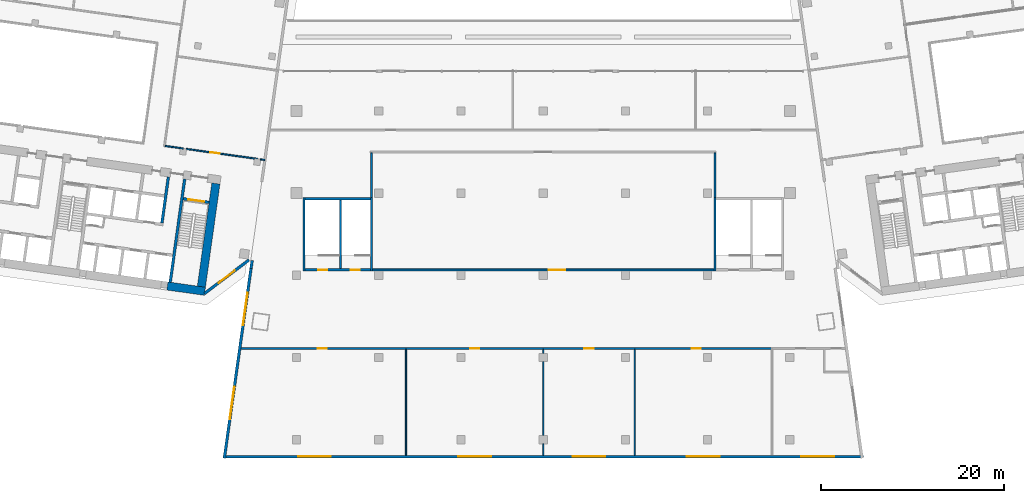
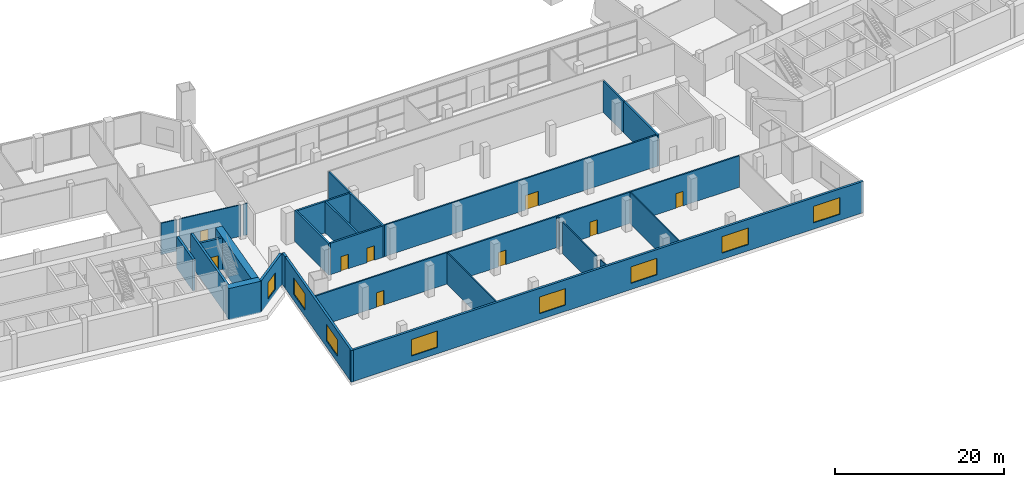
# One storey, part 13 of 21: 27 walls, 9 doors, 8 windows, 17 openings.
"""IFC4 building model written with IfcOpenShell, lengths in metres."""

import ifcopenshell
import ifcopenshell.guid

model = None  # the IFC model being written
_history = None  # IfcOwnerHistory: only IFC2X3 demands one
_inside = {}  # id of a spatial element -> (the spatial element, [elements in it])
_under = {}  # id of a project, library or spatial element -> (it, [spatial elements below it])
_declared = {}  # id of a project -> (the project, [libraries it declares])
_typed = {}  # id of a type object -> (the type object, [elements of that type])
_made_of = {}  # id of a material, layer set ... -> (it, [elements and type objects made of it])


def new_model(schema):
    """Start an empty IFC model of exactly this schema.

    Asked for "IFC4X3", IfcOpenShell would pick the latest addendum, in which some entities
    have other attributes; the version numbers below select the first issue.
    IFC2X3 requires an IfcOwnerHistory on every rooted entity: one is made here for all.
    """
    global model, _history
    if schema == "IFC4X3":
        model = ifcopenshell.file(schema_version=(4, 3, 0, 0))
    else:
        model = ifcopenshell.file(schema=schema)
    _inside.clear()
    _under.clear()
    _declared.clear()
    _typed.clear()
    _made_of.clear()
    _history = None
    if model.schema == "IFC2X3":
        org = make("IfcOrganization", Name="unknown")
        user = make(
            "IfcPersonAndOrganization",
            ThePerson=make("IfcPerson", FamilyName="unknown"),
            TheOrganization=org,
        )
        app = make(
            "IfcApplication",
            ApplicationDeveloper=org,
            Version="unknown",
            ApplicationFullName="unknown",
            ApplicationIdentifier="unknown",
        )
        _history = make(
            "IfcOwnerHistory",
            OwningUser=user,
            OwningApplication=app,
            ChangeAction="ADDED",
            CreationDate=0,
        )
    return model


def make(cls, **values):
    """One entity of the class cls with the attributes given. An attribute that is None is left unset."""
    return model.create_entity(
        cls, **{name: value for name, value in values.items() if value is not None}
    )


def rooted(cls, **values):
    """An entity with a GlobalId (a new one), such as an element, a storey or a relation."""
    return make(cls, GlobalId=ifcopenshell.guid.new(), OwnerHistory=_history, **values)


def si_unit(unit_type, name, prefix=None):
    """IfcSIUnit, for example si_unit("LENGTHUNIT", "METRE", prefix="MILLI")."""
    return make("IfcSIUnit", UnitType=unit_type, Prefix=prefix, Name=name)


def assignment(units):
    """IfcUnitAssignment: the units of a project."""
    return None if units is None else make("IfcUnitAssignment", Units=units)


def point(xyz):
    """IfcCartesianPoint."""
    return None if xyz is None else make("IfcCartesianPoint", Coordinates=xyz)


def direction(xyz):
    """IfcDirection."""
    return None if xyz is None else make("IfcDirection", DirectionRatios=xyz)


def frame(location, z_axis=None, x_axis=None):
    """IfcAxis2Placement3D, a coordinate frame: its origin and axes. An axis left out is left unset."""
    return make(
        "IfcAxis2Placement3D",
        Location=point(location),
        Axis=direction(z_axis),
        RefDirection=direction(x_axis),
    )


def frame_2d(location, x_axis=None):
    """IfcAxis2Placement2D, a coordinate frame in the plane: its origin and x axis."""
    return make(
        "IfcAxis2Placement2D", Location=point(location), RefDirection=direction(x_axis)
    )


def origin():
    """The frame at (0, 0, 0) with its axes left unset."""
    return frame((0.0, 0.0, 0.0))


def place(relative_to, where):
    """IfcLocalPlacement: puts the frame where relative to a parent placement (None: the world)."""
    return make(
        "IfcLocalPlacement", PlacementRelTo=relative_to, RelativePlacement=where
    )


def context(
    kind, dimensions, precision=None, world=None, true_north=None, identifier=None
):
    """IfcGeometricRepresentationContext, for example the 3D "Model" context."""
    return make(
        "IfcGeometricRepresentationContext",
        ContextIdentifier=identifier,
        ContextType=kind,
        CoordinateSpaceDimension=dimensions,
        Precision=precision,
        WorldCoordinateSystem=world,
        TrueNorth=true_north,
    )


def subcontext(parent, identifier, kind, view, scale=None):
    """IfcGeometricRepresentationSubContext, for example "Body" below "Model"."""
    return make(
        "IfcGeometricRepresentationSubContext",
        ContextIdentifier=identifier,
        ContextType=kind,
        ParentContext=parent,
        TargetScale=scale,
        TargetView=view,
    )


def project(units=None, contexts=None):
    """IfcProject with its units and contexts."""
    return rooted(
        "IfcProject",
        Name="project",
        RepresentationContexts=contexts,
        UnitsInContext=assignment(units),
    )


def spatial(cls, under=None, at=None, **own):
    """A site, building, storey or space (cls), placed at a placement, below another one or the project."""
    s = rooted(cls, ObjectPlacement=at, **own)
    if under is not None:
        _under.setdefault(under.id(), (under, []))[1].append(s)
    return s


def profile(cls, at=None, kind="AREA", **sizes):
    """A parametric profile (cls). Its sizes go by their IFC names, for example OverallWidth=200.0."""
    return make(cls, ProfileType=kind, Position=at, **sizes)


def rectangle(**sizes):
    """IfcRectangleProfileDef."""
    return profile("IfcRectangleProfileDef", **sizes)


def extrude(swept, where, along, depth):
    """IfcExtrudedAreaSolid: the profile swept, set in the frame where, extruded along a direction by depth."""
    return make(
        "IfcExtrudedAreaSolid",
        SweptArea=swept,
        Position=where,
        ExtrudedDirection=direction(along),
        Depth=depth,
    )


def shape(context_of_items, identifier, shape_type, items):
    """IfcShapeRepresentation: the items that make up one representation, for example the "Body"."""
    return make(
        "IfcShapeRepresentation",
        ContextOfItems=context_of_items,
        RepresentationIdentifier=identifier,
        RepresentationType=shape_type,
        Items=items,
    )


def material(Name=None, Category=None):
    """IfcMaterial."""
    return make("IfcMaterial", Name=Name, Category=Category)


def layer(
    of_material, thickness, ventilated=None, Name=None, Category=None, Priority=None
):
    """IfcMaterialLayer: one layer of a wall or slab, of a material (None: an air gap)."""
    return make(
        "IfcMaterialLayer",
        Material=of_material,
        LayerThickness=thickness,
        IsVentilated=ventilated,
        Name=Name,
        Category=Category,
        Priority=Priority,
    )


def layer_set(layers, Name=None):
    """IfcMaterialLayerSet."""
    return make("IfcMaterialLayerSet", MaterialLayers=layers, LayerSetName=Name)


def made_of(thing, what):
    """Note that an element or type object is made of a material, layer set ...; save() writes the relation."""
    if what is not None:
        _made_of.setdefault(what.id(), (what, []))[1].append(thing)
    return thing


def type_object(cls, material=None, **own):
    """A type object (cls), such as IfcWallType, which elements share."""
    return made_of(rooted(cls, **own), material)


def element(
    cls,
    number,
    at=None,
    inside=None,
    cuts=None,
    type_object=None,
    material=None,
    context=None,
    identifier="Body",
    shape_type=None,
    held_by="IfcProductDefinitionShape",
    body=None,
    shapes=None,
    **own,
):
    """One element of the class cls, such as IfcWall. Its Tag is "e" and its number.

    at: its placement. inside: the storey or other place that contains it. cuts: it is an
    opening in that element (IfcRelVoidsElement). A single representation is given by context,
    identifier, shape_type and body (its items); several are given by shapes. held_by: the class
    of the entity that holds the representations. save() writes the other relations.
    """
    e = rooted(cls, Tag="e%d" % number, ObjectPlacement=at, **own)
    if body is not None:
        shapes = [shape(context, identifier, shape_type, body)]
    if shapes is not None:
        e.Representation = make(held_by, Representations=shapes)
    if inside is not None:
        _inside.setdefault(inside.id(), (inside, []))[1].append(e)
    if cuts is not None:
        rooted(
            "IfcRelVoidsElement", RelatingBuildingElement=cuts, RelatedOpeningElement=e
        )
    if type_object is not None:
        _typed.setdefault(type_object.id(), (type_object, []))[1].append(e)
    return made_of(e, material)


def fill(opening, filler):
    """IfcRelFillsElement: the door or window that sits in an opening."""
    return rooted(
        "IfcRelFillsElement",
        RelatingOpeningElement=opening,
        RelatedBuildingElement=filler,
    )


def aggregate(whole, parts):
    """IfcRelAggregates: a whole, such as a stair, and the parts it consists of."""
    return rooted("IfcRelAggregates", RelatingObject=whole, RelatedObjects=parts)


def save(model, path):
    """Write the relations noted so far, then the file.

    IfcRelAggregates (storeys below a building ...), IfcRelContainedInSpatialStructure (elements
    in a storey), IfcRelDefinesByType, IfcRelAssociatesMaterial and IfcRelDeclares: one each for
    every whole, place, type object, material and project.
    """
    for whole, parts in _under.values():
        aggregate(whole, parts)
    for where, things in _inside.values():
        rooted(
            "IfcRelContainedInSpatialStructure",
            RelatedElements=things,
            RelatingStructure=where,
        )
    for kind, things in _typed.values():
        rooted("IfcRelDefinesByType", RelatedObjects=things, RelatingType=kind)
    for what, things in _made_of.values():
        rooted("IfcRelAssociatesMaterial", RelatedObjects=things, RelatingMaterial=what)
    for by, libraries in _declared.values():
        rooted("IfcRelDeclares", RelatingContext=by, RelatedDefinitions=libraries)
    model.write(path)


model = new_model("IFC4")

# Units and contexts
model_context = context("Model", 3, precision=1e-05, world=origin(), true_north=direction((0.0, 1.0)))
body_context = subcontext(model_context, "Body", "Model", "MODEL_VIEW")
ifc_project = project(units=[si_unit("LENGTHUNIT", "METRE"), si_unit("AREAUNIT", "SQUARE_METRE"), si_unit("VOLUMEUNIT", "CUBIC_METRE"), si_unit("PLANEANGLEUNIT", "RADIAN"), si_unit("MASSUNIT", "GRAM", prefix="KILO")], contexts=[model_context])

# Site, building, storey
site_placement = place(None, origin())
site = spatial("IfcSite", under=ifc_project, at=site_placement, CompositionType="ELEMENT")
building_placement = place(site_placement, origin())
building = spatial("IfcBuilding", under=site, at=building_placement, Name="Mirante Cascada Hotel Towers", CompositionType="ELEMENT")
storey_placement = place(building_placement, frame((0.0, 0.0, 34.5)))
storey = spatial("IfcBuildingStorey", under=building, at=storey_placement, Name="L05", CompositionType="ELEMENT", Elevation=34.5)

# Wall
ifc_material_1 = material(Name="Masonry block", Category="masonry")
ifc_layer_1 = layer(ifc_material_1, 0.15)
ifc_layer_set_1 = layer_set([ifc_layer_1], Name="Corridor wall 150 block")
wall_type_1 = type_object("IfcWallType", Name="Corridor wall 150 block", PredefinedType="PARTITIONING", material=ifc_layer_set_1)
wall_1_placement = place(storey_placement, frame((-41.4008, -3.8311, 0.0), z_axis=(0.0, 0.0, 1.0), x_axis=(0.9902711, -0.1391512, 0.0)))
element("IfcWall", 1, at=wall_1_placement, inside=storey, type_object=wall_type_1, Name="Corridor wall T1 L05", PredefinedType="PARTITIONING", context=body_context, shape_type="SweptSolid", body=[
    extrude(rectangle(XDim=2.0108, YDim=0.15, at=frame_2d((1.0054, 0.0))), origin(), (0.0, 0.0, 1.0), 4.55),
])

# Wall, opening, door
wall_2_placement = place(storey_placement, frame((-39.0843, -4.1567, 0.0), z_axis=(0.0, 0.0, 1.0), x_axis=(0.9902676, -0.1391764, 0.0)))
wall_2 = element("IfcWall", 2, at=wall_2_placement, inside=storey, type_object=wall_type_1, Name="Corridor wall T1 L05", PredefinedType="PARTITIONING", context=body_context, shape_type="SweptSolid", body=[
    extrude(rectangle(XDim=7.8713, YDim=0.15, at=frame_2d((3.9356, 0.0))), origin(), (0.0, 0.0, 1.0), 4.55),
])
opening_1_placement = place(wall_2_placement, frame((2.6782, 0.0, 0.0)))
opening_1 = element("IfcOpeningElement", 3, at=opening_1_placement, cuts=wall_2, Name="Opening DP1-L05-01", PredefinedType="OPENING", context=body_context, shape_type="SweptSolid", body=[
    extrude(rectangle(XDim=1.0, YDim=2.1, at=frame_2d((0.5, 1.05))), frame((0.0, 0.075, 0.0), z_axis=(0.0, -1.0, 0.0), x_axis=(1.0, 0.0, 0.0)), (0.0, 0.0, 1.0), 0.15),
])
ifc_material_2 = material(Name="Timber door leaf", Category="wood")
door_type_1 = type_object("IfcDoorType", Name="Single door 1000x2100", OperationType="NOTDEFINED", PredefinedType="DOOR", material=ifc_material_2)
door_1_placement = place(opening_1_placement, frame((1.0, 0.0, 0.0), z_axis=(0.0, 0.0, 1.0), x_axis=(-1.0, 0.0, 0.0)))
door_1 = element("IfcDoor", 4, at=door_1_placement, inside=storey, type_object=door_type_1, Name="Door DP1-L05-01", OperationType="SINGLE_SWING_LEFT", OverallHeight=2.1, OverallWidth=1.0, PredefinedType="DOOR", context=body_context, shape_type="SweptSolid", body=[
    extrude(rectangle(XDim=1.0, YDim=2.1, at=frame_2d((0.5, 1.05))), frame((0.0, 0.025, 0.0), z_axis=(0.0, -1.0, 0.0), x_axis=(1.0, 0.0, 0.0)), (0.0, 0.0, 1.0), 0.05),
])
fill(opening_1, door_1)

# Wall
wall_3_placement = place(storey_placement, frame((-30.9641, -5.2979, 0.0), z_axis=(0.0, 0.0, 1.0), x_axis=(0.9902657, -0.1391899, 0.0)))
element("IfcWall", 5, at=wall_3_placement, inside=storey, type_object=wall_type_1, Name="Corridor wall T1 L05", PredefinedType="PARTITIONING", context=body_context, shape_type="SweptSolid", body=[
    extrude(rectangle(XDim=0.4957, YDim=0.15, at=frame_2d((0.2478, 0.0))), origin(), (0.0, 0.0, 1.0), 4.55),
])

# Wall, openings, doors
ifc_material_3 = material(Name="Masonry block", Category="masonry")
ifc_layer_2 = layer(ifc_material_3, 0.2)
ifc_layer_set_2 = layer_set([ifc_layer_2], Name="Hall wall 200 block")
wall_type_2 = type_object("IfcWallType", Name="Hall wall 200 block", PredefinedType="PARTITIONING", material=ifc_layer_set_2)
wall_4_placement = place(storey_placement, frame((-33.0701, -26.0, 0.0), z_axis=(0.0, 0.0, 1.0), x_axis=(1.0, 0.0, 0.0)))
wall_4 = element("IfcWall", 6, at=wall_4_placement, inside=storey, type_object=wall_type_2, Name="Hall wall P L05", PredefinedType="PARTITIONING", context=body_context, shape_type="SweptSolid", body=[
    extrude(rectangle(XDim=58.0476, YDim=0.2, at=frame_2d((29.0238, 0.0))), origin(), (0.0, 0.0, 1.0), 4.55),
])
opening_2_placement = place(wall_4_placement, frame((8.3708, 0.0, 0.0)))
opening_2 = element("IfcOpeningElement", 7, at=opening_2_placement, cuts=wall_4, Name="Opening DP-L05-07", PredefinedType="OPENING", context=body_context, shape_type="SweptSolid", body=[
    extrude(rectangle(XDim=1.0, YDim=2.1, at=frame_2d((0.5, 1.05))), frame((0.0, 0.1, 0.0), z_axis=(0.0, -1.0, 0.0), x_axis=(1.0, 0.0, 0.0)), (0.0, 0.0, 1.0), 0.2),
])
opening_3_placement = place(wall_4_placement, frame((25.0573, 0.0, 0.0)))
opening_3 = element("IfcOpeningElement", 8, at=opening_3_placement, cuts=wall_4, Name="Opening DP-L05-08", PredefinedType="OPENING", context=body_context, shape_type="SweptSolid", body=[
    extrude(rectangle(XDim=1.0, YDim=2.1, at=frame_2d((0.5, 1.05))), frame((0.0, 0.1, 0.0), z_axis=(0.0, -1.0, 0.0), x_axis=(1.0, 0.0, 0.0)), (0.0, 0.0, 1.0), 0.2),
])
opening_4_placement = place(wall_4_placement, frame((37.5786, 0.0, 0.0)))
opening_4 = element("IfcOpeningElement", 9, at=opening_4_placement, cuts=wall_4, Name="Opening DP-L05-09", PredefinedType="OPENING", context=body_context, shape_type="SweptSolid", body=[
    extrude(rectangle(XDim=1.0, YDim=2.1, at=frame_2d((0.5, 1.05))), frame((0.0, 0.1, 0.0), z_axis=(0.0, -1.0, 0.0), x_axis=(1.0, 0.0, 0.0)), (0.0, 0.0, 1.0), 0.2),
])
opening_5_placement = place(wall_4_placement, frame((49.3173, 0.0, 0.0)))
opening_5 = element("IfcOpeningElement", 10, at=opening_5_placement, cuts=wall_4, Name="Opening DP-L05-10", PredefinedType="OPENING", context=body_context, shape_type="SweptSolid", body=[
    extrude(rectangle(XDim=1.0, YDim=2.1, at=frame_2d((0.5, 1.05))), frame((0.0, 0.1, 0.0), z_axis=(0.0, -1.0, 0.0), x_axis=(1.0, 0.0, 0.0)), (0.0, 0.0, 1.0), 0.2),
])
door_2_placement = place(opening_2_placement, origin())
door_2 = element("IfcDoor", 11, at=door_2_placement, inside=storey, type_object=door_type_1, Name="Door DP-L05-07", OperationType="SINGLE_SWING_LEFT", OverallHeight=2.1, OverallWidth=1.0, PredefinedType="DOOR", context=body_context, shape_type="SweptSolid", body=[
    extrude(rectangle(XDim=1.0, YDim=2.1, at=frame_2d((0.5, 1.05))), frame((0.0, 0.025, 0.0), z_axis=(0.0, -1.0, 0.0), x_axis=(1.0, 0.0, 0.0)), (0.0, 0.0, 1.0), 0.05),
])
fill(opening_2, door_2)
door_3_placement = place(opening_3_placement, frame((1.0, 0.0, 0.0), z_axis=(0.0, 0.0, 1.0), x_axis=(-1.0, 0.0, 0.0)))
door_3 = element("IfcDoor", 12, at=door_3_placement, inside=storey, type_object=door_type_1, Name="Door DP-L05-08", OperationType="SINGLE_SWING_RIGHT", OverallHeight=2.1, OverallWidth=1.0, PredefinedType="DOOR", context=body_context, shape_type="SweptSolid", body=[
    extrude(rectangle(XDim=1.0, YDim=2.1, at=frame_2d((0.5, 1.05))), frame((0.0, 0.025, 0.0), z_axis=(0.0, -1.0, 0.0), x_axis=(1.0, 0.0, 0.0)), (0.0, 0.0, 1.0), 0.05),
])
fill(opening_3, door_3)
door_4_placement = place(opening_4_placement, frame((1.0, 0.0, 0.0), z_axis=(0.0, 0.0, 1.0), x_axis=(-1.0, 0.0, 0.0)))
door_4 = element("IfcDoor", 13, at=door_4_placement, inside=storey, type_object=door_type_1, Name="Door DP-L05-09", OperationType="SINGLE_SWING_LEFT", OverallHeight=2.1, OverallWidth=1.0, PredefinedType="DOOR", context=body_context, shape_type="SweptSolid", body=[
    extrude(rectangle(XDim=1.0, YDim=2.1, at=frame_2d((0.5, 1.05))), frame((0.0, 0.025, 0.0), z_axis=(0.0, -1.0, 0.0), x_axis=(1.0, 0.0, 0.0)), (0.0, 0.0, 1.0), 0.05),
])
fill(opening_4, door_4)
door_5_placement = place(opening_5_placement, frame((1.0, 0.0, 0.0), z_axis=(0.0, 0.0, 1.0), x_axis=(-1.0, 0.0, 0.0)))
door_5 = element("IfcDoor", 14, at=door_5_placement, inside=storey, type_object=door_type_1, Name="Door DP-L05-10", OperationType="SINGLE_SWING_RIGHT", OverallHeight=2.1, OverallWidth=1.0, PredefinedType="DOOR", context=body_context, shape_type="SweptSolid", body=[
    extrude(rectangle(XDim=1.0, YDim=2.1, at=frame_2d((0.5, 1.05))), frame((0.0, 0.025, 0.0), z_axis=(0.0, -1.0, 0.0), x_axis=(1.0, 0.0, 0.0)), (0.0, 0.0, 1.0), 0.05),
])
fill(opening_5, door_5)

# Wall, opening, door
wall_5_placement = place(storey_placement, frame((-18.685, -17.4, 0.0), z_axis=(0.0, 0.0, 1.0), x_axis=(1.0, 0.0, 0.0)))
wall_5 = element("IfcWall", 15, at=wall_5_placement, inside=storey, type_object=wall_type_2, Name="Hall wall P L05", PredefinedType="PARTITIONING", context=body_context, shape_type="SweptSolid", body=[
    extrude(rectangle(XDim=37.37, YDim=0.2, at=frame_2d((18.685, 0.0))), origin(), (0.0, 0.0, 1.0), 4.55),
])
opening_6_placement = place(wall_5_placement, frame((19.285, 0.0, 0.0)))
opening_6 = element("IfcOpeningElement", 16, at=opening_6_placement, cuts=wall_5, Name="Opening DP-L05-05", PredefinedType="OPENING", context=body_context, shape_type="SweptSolid", body=[
    extrude(rectangle(XDim=1.8, YDim=2.1, at=frame_2d((0.9, 1.05))), frame((0.0, 0.1, 0.0), z_axis=(0.0, -1.0, 0.0), x_axis=(1.0, 0.0, 0.0)), (0.0, 0.0, 1.0), 0.2),
])
ifc_material_4 = material(Name="Timber door leaf", Category="wood")
door_type_2 = type_object("IfcDoorType", Name="Double door 1800x2100", OperationType="DOUBLE_DOOR_SINGLE_SWING", PredefinedType="DOOR", material=ifc_material_4)
door_6_placement = place(opening_6_placement, origin())
door_6 = element("IfcDoor", 17, at=door_6_placement, inside=storey, type_object=door_type_2, Name="Door DP-L05-05", OperationType="DOUBLE_DOOR_SINGLE_SWING", OverallHeight=2.1, OverallWidth=1.8, PredefinedType="DOOR", context=body_context, shape_type="SweptSolid", body=[
    extrude(rectangle(XDim=0.895, YDim=2.1, at=frame_2d((0.4475, 1.05))), frame((0.0, 0.025, 0.0), z_axis=(0.0, -1.0, 0.0), x_axis=(1.0, 0.0, 0.0)), (0.0, 0.0, 1.0), 0.05),
    extrude(rectangle(XDim=0.895, YDim=2.1, at=frame_2d((1.3525, 1.05))), frame((0.0, 0.025, 0.0), z_axis=(0.0, -1.0, 0.0), x_axis=(1.0, 0.0, 0.0)), (0.0, 0.0, 1.0), 0.05),
])
fill(opening_6, door_6)

# Walls
for number, where, z_axis, x_axis, name in (
    (18, (18.8, -9.475, 0.0), (0.0, 0.0, 1.0), (0.0, 1.0, 0.0), "Hall wall P L05"),
    (19, (-18.8, -9.475, 0.0), (0.0, 0.0, 1.0), (0.0, 1.0, 0.0), "Hall wall P L05"),
):
    element("IfcWall", number, at=place(storey_placement, frame(where, z_axis=z_axis, x_axis=x_axis)), inside=storey, type_object=wall_type_2, Name=name, PredefinedType="PARTITIONING", context=body_context, shape_type="SweptSolid", body=[
        extrude(rectangle(XDim=4.875, YDim=0.2, at=frame_2d((2.4375, 0.0))), origin(), (0.0, 0.0, 1.0), 4.55),
    ])
ifc_material_5 = material(Name="Masonry block", Category="masonry")
ifc_layer_3 = layer(ifc_material_5, 0.15)
ifc_layer_set_3 = layer_set([ifc_layer_3], Name="Partition 150 block")
wall_type_3 = type_object("IfcWallType", Name="Partition 150 block", PredefinedType="PARTITIONING", material=ifc_layer_set_3)
wall_6_placement = place(storey_placement, frame((10.017, -37.7, 0.0), z_axis=(0.0, 0.0, 1.0), x_axis=(0.0, 1.0, 0.0)))
element("IfcWall", 20, at=wall_6_placement, inside=storey, type_object=wall_type_3, Name="Partition P L05", PredefinedType="PARTITIONING", context=body_context, shape_type="SweptSolid", body=[
    extrude(rectangle(XDim=11.6, YDim=0.15, at=frame_2d((5.8, 0.0))), origin(), (0.0, 0.0, 1.0), 4.55),
])
wall_7_placement = place(storey_placement, frame((0.0, -37.7, 0.0), z_axis=(0.0, 0.0, 1.0), x_axis=(0.0, 1.0, 0.0)))
element("IfcWall", 21, at=wall_7_placement, inside=storey, type_object=wall_type_3, Name="Partition P L05", PredefinedType="PARTITIONING", context=body_context, shape_type="SweptSolid", body=[
    extrude(rectangle(XDim=1.25, YDim=0.15, at=frame_2d((0.625, 0.0))), origin(), (0.0, 0.0, 1.0), 4.55),
])
wall_8_placement = place(storey_placement, frame((-15.0255, -37.7, 0.0), z_axis=(0.0, 0.0, 1.0), x_axis=(0.0, 1.0, 0.0)))
element("IfcWall", 22, at=wall_8_placement, inside=storey, type_object=wall_type_3, Name="Partition P L05", PredefinedType="PARTITIONING", context=body_context, shape_type="SweptSolid", body=[
    extrude(rectangle(XDim=11.6, YDim=0.15, at=frame_2d((5.8, 0.0))), origin(), (0.0, 0.0, 1.0), 4.55),
])
wall_9_placement = place(storey_placement, frame((0.0, -35.55, 0.0), z_axis=(0.0, 0.0, 1.0), x_axis=(0.0, 1.0, 0.0)))
element("IfcWall", 23, at=wall_9_placement, inside=storey, type_object=wall_type_3, Name="Partition P L05", PredefinedType="PARTITIONING", context=body_context, shape_type="SweptSolid", body=[
    extrude(rectangle(XDim=8.1, YDim=0.15, at=frame_2d((4.05, 0.0))), origin(), (0.0, 0.0, 1.0), 4.55),
])
wall_10_placement = place(storey_placement, frame((0.0, -26.55, 0.0), z_axis=(0.0, 0.0, 1.0), x_axis=(0.0, 1.0, 0.0)))
element("IfcWall", 24, at=wall_10_placement, inside=storey, type_object=wall_type_3, Name="Partition P L05", PredefinedType="PARTITIONING", context=body_context, shape_type="SweptSolid", body=[
    extrude(rectangle(XDim=0.45, YDim=0.15, at=frame_2d((0.225, 0.0))), origin(), (0.0, 0.0, 1.0), 4.55),
])

# Wall, opening, window
ifc_material_6 = material(Name="Precast concrete C40/50", Category="concrete")
ifc_layer_4 = layer(ifc_material_6, 0.3)
ifc_layer_set_4 = layer_set([ifc_layer_4], Name="Precast concrete C40/50 cladding wall 300")
wall_type_4 = type_object("IfcWallType", Name="Precast concrete C40/50 cladding wall 300", PredefinedType="STANDARD", material=ifc_layer_set_4)
wall_11_placement = place(storey_placement, frame((-32.2074, -16.3138, 0.0), z_axis=(0.0, 0.0, 1.0), x_axis=(-0.7986362, -0.6018141, 0.0)))
wall_11 = element("IfcWall", 25, at=wall_11_placement, inside=storey, type_object=wall_type_4, Name="Corner cladding wall T1 L05 inner rear", PredefinedType="STANDARD", context=body_context, shape_type="SweptSolid", body=[
    extrude(rectangle(XDim=6.1157, YDim=0.3, at=frame_2d((3.0578, 0.0))), origin(), (0.0, 0.0, 1.0), 4.55),
])
opening_7_placement = place(wall_11_placement, frame((1.9578, 0.0, 0.6)))
opening_7 = element("IfcOpeningElement", 26, at=opening_7_placement, cuts=wall_11, Name="Opening W1-05-05", PredefinedType="OPENING", context=body_context, shape_type="SweptSolid", body=[
    extrude(rectangle(XDim=2.2, YDim=2.4, at=frame_2d((1.1, 1.2))), frame((0.0, 0.15, 0.0), z_axis=(0.0, -1.0, 0.0), x_axis=(1.0, 0.0, 0.0)), (0.0, 0.0, 1.0), 0.3),
])
ifc_material_7 = material(Name="Aluminium frame with clear double glazing", Category="aluminium")
window_type_1 = type_object("IfcWindowType", Name="Corner suite window 2200x2400", PartitioningType="DOUBLE_PANEL_VERTICAL", PredefinedType="WINDOW", material=ifc_material_7)
window_1_placement = place(opening_7_placement, origin())
window_1 = element("IfcWindow", 27, at=window_1_placement, inside=storey, type_object=window_type_1, Name="Window W1-05-05", OverallHeight=2.4, OverallWidth=2.2, PartitioningType="SINGLE_PANEL", PredefinedType="WINDOW", context=body_context, shape_type="SweptSolid", body=[
    extrude(rectangle(XDim=2.2, YDim=2.4, at=frame_2d((1.1, 1.2))), frame((0.0, 0.03, 0.0), z_axis=(0.0, -1.0, 0.0), x_axis=(1.0, 0.0, 0.0)), (0.0, 0.0, 1.0), 0.06),
])
fill(opening_7, window_1)

# Wall, openings, windows
wall_12_placement = place(storey_placement, frame((-35.0595, -37.85, 0.0), z_axis=(0.0, 0.0, 1.0), x_axis=(1.0, 0.0, 0.0)))
wall_12 = element("IfcWall", 28, at=wall_12_placement, inside=storey, type_object=wall_type_4, Name="Podium cladding wall L05 P:L05:1", PredefinedType="STANDARD", context=body_context, shape_type="SweptSolid", body=[
    extrude(rectangle(XDim=70.119, YDim=0.3, at=frame_2d((35.0595, 0.0))), origin(), (0.0, 0.0, 1.0), 4.55),
])
opening_8_placement = place(wall_12_placement, frame((8.217, 0.0, 0.9)))
opening_8 = element("IfcOpeningElement", 29, at=opening_8_placement, cuts=wall_12, Name="Opening WP-05-01", PredefinedType="OPENING", context=body_context, shape_type="SweptSolid", body=[
    extrude(rectangle(XDim=3.6, YDim=2.4, at=frame_2d((1.8, 1.2))), frame((0.0, 0.15, 0.0), z_axis=(0.0, -1.0, 0.0), x_axis=(1.0, 0.0, 0.0)), (0.0, 0.0, 1.0), 0.3),
])
opening_9_placement = place(wall_12_placement, frame((25.7467, 0.0, 0.9)))
opening_9 = element("IfcOpeningElement", 30, at=opening_9_placement, cuts=wall_12, Name="Opening WP-05-02", PredefinedType="OPENING", context=body_context, shape_type="SweptSolid", body=[
    extrude(rectangle(XDim=3.6, YDim=2.4, at=frame_2d((1.8, 1.2))), frame((0.0, 0.15, 0.0), z_axis=(0.0, -1.0, 0.0), x_axis=(1.0, 0.0, 0.0)), (0.0, 0.0, 1.0), 0.3),
])
opening_10_placement = place(wall_12_placement, frame((38.268, 0.0, 0.9)))
opening_10 = element("IfcOpeningElement", 31, at=opening_10_placement, cuts=wall_12, Name="Opening WP-05-03", PredefinedType="OPENING", context=body_context, shape_type="SweptSolid", body=[
    extrude(rectangle(XDim=3.6, YDim=2.4, at=frame_2d((1.8, 1.2))), frame((0.0, 0.15, 0.0), z_axis=(0.0, -1.0, 0.0), x_axis=(1.0, 0.0, 0.0)), (0.0, 0.0, 1.0), 0.3),
])
opening_11_placement = place(wall_12_placement, frame((50.7892, 0.0, 0.9)))
opening_11 = element("IfcOpeningElement", 32, at=opening_11_placement, cuts=wall_12, Name="Opening WP-05-04", PredefinedType="OPENING", context=body_context, shape_type="SweptSolid", body=[
    extrude(rectangle(XDim=3.6, YDim=2.4, at=frame_2d((1.8, 1.2))), frame((0.0, 0.15, 0.0), z_axis=(0.0, -1.0, 0.0), x_axis=(1.0, 0.0, 0.0)), (0.0, 0.0, 1.0), 0.3),
])
opening_12_placement = place(wall_12_placement, frame((63.3104, 0.0, 0.9)))
opening_12 = element("IfcOpeningElement", 33, at=opening_12_placement, cuts=wall_12, Name="Opening WP-05-05", PredefinedType="OPENING", context=body_context, shape_type="SweptSolid", body=[
    extrude(rectangle(XDim=3.6, YDim=2.4, at=frame_2d((1.8, 1.2))), frame((0.0, 0.15, 0.0), z_axis=(0.0, -1.0, 0.0), x_axis=(1.0, 0.0, 0.0)), (0.0, 0.0, 1.0), 0.3),
])
ifc_material_8 = material(Name="Aluminium frame with clear double glazing", Category="aluminium")
window_type_2 = type_object("IfcWindowType", Name="Podium punched window 3600x2400", PartitioningType="DOUBLE_PANEL_VERTICAL", PredefinedType="WINDOW", material=ifc_material_8)
window_2_placement = place(opening_8_placement, origin())
window_2 = element("IfcWindow", 34, at=window_2_placement, inside=storey, type_object=window_type_2, Name="Window WP-05-01", OverallHeight=2.4, OverallWidth=3.6, PartitioningType="SINGLE_PANEL", PredefinedType="WINDOW", context=body_context, shape_type="SweptSolid", body=[
    extrude(rectangle(XDim=3.6, YDim=2.4, at=frame_2d((1.8, 1.2))), frame((0.0, 0.03, 0.0), z_axis=(0.0, -1.0, 0.0), x_axis=(1.0, 0.0, 0.0)), (0.0, 0.0, 1.0), 0.06),
])
fill(opening_8, window_2)
window_3_placement = place(opening_9_placement, origin())
window_3 = element("IfcWindow", 35, at=window_3_placement, inside=storey, type_object=window_type_2, Name="Window WP-05-02", OverallHeight=2.4, OverallWidth=3.6, PartitioningType="SINGLE_PANEL", PredefinedType="WINDOW", context=body_context, shape_type="SweptSolid", body=[
    extrude(rectangle(XDim=3.6, YDim=2.4, at=frame_2d((1.8, 1.2))), frame((0.0, 0.03, 0.0), z_axis=(0.0, -1.0, 0.0), x_axis=(1.0, 0.0, 0.0)), (0.0, 0.0, 1.0), 0.06),
])
fill(opening_9, window_3)
window_4_placement = place(opening_10_placement, origin())
window_4 = element("IfcWindow", 36, at=window_4_placement, inside=storey, type_object=window_type_2, Name="Window WP-05-03", OverallHeight=2.4, OverallWidth=3.6, PartitioningType="SINGLE_PANEL", PredefinedType="WINDOW", context=body_context, shape_type="SweptSolid", body=[
    extrude(rectangle(XDim=3.6, YDim=2.4, at=frame_2d((1.8, 1.2))), frame((0.0, 0.03, 0.0), z_axis=(0.0, -1.0, 0.0), x_axis=(1.0, 0.0, 0.0)), (0.0, 0.0, 1.0), 0.06),
])
fill(opening_10, window_4)
window_5_placement = place(opening_11_placement, origin())
window_5 = element("IfcWindow", 37, at=window_5_placement, inside=storey, type_object=window_type_2, Name="Window WP-05-04", OverallHeight=2.4, OverallWidth=3.6, PartitioningType="SINGLE_PANEL", PredefinedType="WINDOW", context=body_context, shape_type="SweptSolid", body=[
    extrude(rectangle(XDim=3.6, YDim=2.4, at=frame_2d((1.8, 1.2))), frame((0.0, 0.03, 0.0), z_axis=(0.0, -1.0, 0.0), x_axis=(1.0, 0.0, 0.0)), (0.0, 0.0, 1.0), 0.06),
])
fill(opening_11, window_5)
window_6_placement = place(opening_12_placement, origin())
window_6 = element("IfcWindow", 38, at=window_6_placement, inside=storey, type_object=window_type_2, Name="Window WP-05-05", OverallHeight=2.4, OverallWidth=3.6, PartitioningType="SINGLE_PANEL", PredefinedType="WINDOW", context=body_context, shape_type="SweptSolid", body=[
    extrude(rectangle(XDim=3.6, YDim=2.4, at=frame_2d((1.8, 1.2))), frame((0.0, 0.03, 0.0), z_axis=(0.0, -1.0, 0.0), x_axis=(1.0, 0.0, 0.0)), (0.0, 0.0, 1.0), 0.06),
])
fill(opening_12, window_6)

wall_13_placement = place(storey_placement, frame((-31.9876, -17.2201, 0.0), z_axis=(0.0, 0.0, 1.0), x_axis=(-0.1391749, -0.9902678, 0.0)))
wall_13 = element("IfcWall", 39, at=wall_13_placement, inside=storey, type_object=wall_type_4, Name="Podium cladding wall L05 P:L05:4", PredefinedType="STANDARD", context=body_context, shape_type="SweptSolid", body=[
    extrude(rectangle(XDim=21.0052, YDim=0.3, at=frame_2d((10.5026, 0.0))), origin(), (0.0, 0.0, 1.0), 4.55),
])
opening_13_placement = place(wall_13_placement, frame((2.6994, 0.0, 0.9)))
opening_13 = element("IfcOpeningElement", 40, at=opening_13_placement, cuts=wall_13, Name="Opening WP-05-08", PredefinedType="OPENING", context=body_context, shape_type="SweptSolid", body=[
    extrude(rectangle(XDim=3.6, YDim=2.4, at=frame_2d((1.8, 1.2))), frame((0.0, 0.15, 0.0), z_axis=(0.0, -1.0, 0.0), x_axis=(1.0, 0.0, 0.0)), (0.0, 0.0, 1.0), 0.3),
])
opening_14_placement = place(wall_13_placement, frame((13.1006, 0.0, 0.9)))
opening_14 = element("IfcOpeningElement", 41, at=opening_14_placement, cuts=wall_13, Name="Opening WP-05-09", PredefinedType="OPENING", context=body_context, shape_type="SweptSolid", body=[
    extrude(rectangle(XDim=3.6, YDim=2.4, at=frame_2d((1.8, 1.2))), frame((0.0, 0.15, 0.0), z_axis=(0.0, -1.0, 0.0), x_axis=(1.0, 0.0, 0.0)), (0.0, 0.0, 1.0), 0.3),
])
window_7_placement = place(opening_13_placement, origin())
window_7 = element("IfcWindow", 42, at=window_7_placement, inside=storey, type_object=window_type_2, Name="Window WP-05-08", OverallHeight=2.4, OverallWidth=3.6, PartitioningType="SINGLE_PANEL", PredefinedType="WINDOW", context=body_context, shape_type="SweptSolid", body=[
    extrude(rectangle(XDim=3.6, YDim=2.4, at=frame_2d((1.8, 1.2))), frame((0.0, 0.03, 0.0), z_axis=(0.0, -1.0, 0.0), x_axis=(1.0, 0.0, 0.0)), (0.0, 0.0, 1.0), 0.06),
])
fill(opening_13, window_7)
window_8_placement = place(opening_14_placement, origin())
window_8 = element("IfcWindow", 43, at=window_8_placement, inside=storey, type_object=window_type_2, Name="Window WP-05-09", OverallHeight=2.4, OverallWidth=3.6, PartitioningType="SINGLE_PANEL", PredefinedType="WINDOW", context=body_context, shape_type="SweptSolid", body=[
    extrude(rectangle(XDim=3.6, YDim=2.4, at=frame_2d((1.8, 1.2))), frame((0.0, 0.03, 0.0), z_axis=(0.0, -1.0, 0.0), x_axis=(1.0, 0.0, 0.0)), (0.0, 0.0, 1.0), 0.06),
])
fill(opening_14, window_8)

# Walls
wall_14_placement = place(storey_placement, frame((-31.9904, -17.2399, 0.0), z_axis=(0.0, 0.0, 1.0), x_axis=(0.1391966, 0.9902648, 0.0)))
element("IfcWall", 44, at=wall_14_placement, inside=storey, type_object=wall_type_4, Name="Corner closure wall L05 1.1", PredefinedType="STANDARD", context=body_context, shape_type="SweptSolid", body=[
    extrude(rectangle(XDim=0.8686, YDim=0.3, at=frame_2d((0.4343, 0.0))), origin(), (0.0, 0.0, 1.0), 4.55),
])
ifc_material_9 = material(Name="Concrete C50/60", Category="concrete")
ifc_layer_5 = layer(ifc_material_9, 0.3)
ifc_layer_set_5 = layer_set([ifc_layer_5], Name="RC core wall 300 C50/60")
wall_type_5 = type_object("IfcWallType", Name="RC core wall 300 C50/60", PredefinedType="SHEAR", material=ifc_layer_set_5)
wall_15_placement = place(storey_placement, frame((-40.8373, -18.7548, 0.0), z_axis=(0.0, 0.0, 1.0), x_axis=(0.1391749, 0.9902678, 0.0)))
element("IfcWall", 45, at=wall_15_placement, inside=storey, type_object=wall_type_5, Name="Core wall T1:L05:5", PredefinedType="SHEAR", context=body_context, shape_type="SweptSolid", body=[
    extrude(rectangle(XDim=11.4, YDim=0.3, at=frame_2d((5.7, 0.0))), origin(), (0.0, 0.0, 1.0), 4.55),
])

# Wall, opening, door
wall_16_placement = place(storey_placement, frame((-36.5791, -10.0123, 0.0), z_axis=(0.0, 0.0, 1.0), x_axis=(-0.9902704, 0.1391564, 0.0)))
wall_16 = element("IfcWall", 46, at=wall_16_placement, inside=storey, type_object=wall_type_5, Name="Core wall T1:L05:9", PredefinedType="SHEAR", context=body_context, shape_type="SweptSolid", body=[
    extrude(rectangle(XDim=2.85, YDim=0.3, at=frame_2d((1.425, 0.0))), origin(), (0.0, 0.0, 1.0), 4.55),
])
opening_15_placement = place(wall_16_placement, frame((0.525, 0.0, 0.0)))
opening_15 = element("IfcOpeningElement", 47, at=opening_15_placement, cuts=wall_16, Name="Opening D1-05-C16", PredefinedType="OPENING", context=body_context, shape_type="SweptSolid", body=[
    extrude(rectangle(XDim=1.8, YDim=2.1, at=frame_2d((0.9, 1.05))), frame((0.0, 0.15, 0.0), z_axis=(0.0, -1.0, 0.0), x_axis=(1.0, 0.0, 0.0)), (0.0, 0.0, 1.0), 0.3),
])
ifc_material_10 = material(Name="Hollow metal fire door leaf")
door_type_3 = type_object("IfcDoorType", Name="Double fire door 1800x2100 FD60", OperationType="DOUBLE_DOOR_SINGLE_SWING", PredefinedType="DOOR", material=ifc_material_10)
door_7_placement = place(opening_15_placement, origin())
door_7 = element("IfcDoor", 48, at=door_7_placement, inside=storey, type_object=door_type_3, Name="Stair door T1 L05 16", OperationType="DOUBLE_DOOR_SINGLE_SWING", OverallHeight=2.1, OverallWidth=1.8, PredefinedType="DOOR", context=body_context, shape_type="SweptSolid", body=[
    extrude(rectangle(XDim=0.895, YDim=2.1, at=frame_2d((0.4475, 1.05))), frame((0.0, 0.025, 0.0), z_axis=(0.0, -1.0, 0.0), x_axis=(1.0, 0.0, 0.0)), (0.0, 0.0, 1.0), 0.05),
    extrude(rectangle(XDim=0.895, YDim=2.1, at=frame_2d((1.3525, 1.05))), frame((0.0, 0.025, 0.0), z_axis=(0.0, -1.0, 0.0), x_axis=(1.0, 0.0, 0.0)), (0.0, 0.0, 1.0), 0.05),
])
fill(opening_15, door_7)

# Walls
wall_17_placement = place(storey_placement, frame((-41.743, -12.2656, 0.0), z_axis=(0.0, 0.0, 1.0), x_axis=(0.1391755, 0.9902677, 0.0)))
element("IfcWall", 49, at=wall_17_placement, inside=storey, type_object=wall_type_5, Name="Core wall T1:L05:20", PredefinedType="SHEAR", context=body_context, shape_type="SweptSolid", body=[
    extrude(rectangle(XDim=5.1, YDim=0.3, at=frame_2d((2.55, 0.0))), origin(), (0.0, 0.0, 1.0), 4.55),
])
ifc_material_11 = material(Name="Concrete C50/60", Category="concrete")
ifc_layer_6 = layer(ifc_material_11, 0.9)
ifc_layer_set_6 = layer_set([ifc_layer_6], Name="RC core wall 900 C50/60")
wall_type_6 = type_object("IfcWallType", Name="RC core wall 900 C50/60", PredefinedType="SHEAR", material=ifc_layer_set_6)
wall_18_placement = place(storey_placement, frame((-37.0379, -19.7432, 0.0), z_axis=(0.0, 0.0, 1.0), x_axis=(-0.990267, 0.139181, 0.0)))
element("IfcWall", 50, at=wall_18_placement, inside=storey, type_object=wall_type_6, Name="Core wall T1:L05:1.1", PredefinedType="SHEAR", context=body_context, shape_type="SweptSolid", body=[
    extrude(rectangle(XDim=4.15, YDim=0.9, at=frame_2d((2.075, 0.0))), origin(), (0.0, 0.0, 1.0), 4.55),
])
wall_19_placement = place(storey_placement, frame((-37.4209, -19.2349, 0.0), z_axis=(0.0, 0.0, 1.0), x_axis=(0.1391761, 0.9902677, 0.0)))
element("IfcWall", 51, at=wall_19_placement, inside=storey, type_object=wall_type_6, Name="Core wall T1:L05:3", PredefinedType="SHEAR", context=body_context, shape_type="SweptSolid", body=[
    extrude(rectangle(XDim=11.3999, YDim=0.9, at=frame_2d((5.7, 0.0))), origin(), (0.0, 0.0, 1.0), 4.55),
])

# Wall, openings, doors
ifc_material_12 = material(Name="Concrete C35/45", Category="concrete")
ifc_layer_7 = layer(ifc_material_12, 0.25)
ifc_layer_set_7 = layer_set([ifc_layer_7], Name="Stair wall 250 concrete C35/45 EI 120")
wall_type_7 = type_object("IfcWallType", Name="Stair wall 250 concrete C35/45 EI 120", PredefinedType="STANDARD", material=ifc_layer_set_7)
wall_20_placement = place(storey_placement, frame((-26.085, -17.4, 0.0), z_axis=(0.0, 0.0, 1.0), x_axis=(1.0, 0.0, 0.0)))
wall_20 = element("IfcWall", 52, at=wall_20_placement, inside=storey, type_object=wall_type_7, Name="Stair wall P L05", PredefinedType="STANDARD", context=body_context, shape_type="SweptSolid", body=[
    extrude(rectangle(XDim=7.17, YDim=0.25, at=frame_2d((3.585, 0.0))), origin(), (0.0, 0.0, 1.0), 4.55),
])
opening_16_placement = place(wall_20_placement, frame((5.0275, 0.0, 0.0)))
opening_16 = element("IfcOpeningElement", 53, at=opening_16_placement, cuts=wall_20, Name="Opening DP-L05-01", PredefinedType="OPENING", context=body_context, shape_type="SweptSolid", body=[
    extrude(rectangle(XDim=1.0, YDim=2.1, at=frame_2d((0.5, 1.05))), frame((0.0, 0.125, 0.0), z_axis=(0.0, -1.0, 0.0), x_axis=(1.0, 0.0, 0.0)), (0.0, 0.0, 1.0), 0.25),
])
opening_17_placement = place(wall_20_placement, frame((1.4425, 0.0, 0.0)))
opening_17 = element("IfcOpeningElement", 54, at=opening_17_placement, cuts=wall_20, Name="Opening DP-L05-02", PredefinedType="OPENING", context=body_context, shape_type="SweptSolid", body=[
    extrude(rectangle(XDim=1.0, YDim=2.1, at=frame_2d((0.5, 1.05))), frame((0.0, 0.125, 0.0), z_axis=(0.0, -1.0, 0.0), x_axis=(1.0, 0.0, 0.0)), (0.0, 0.0, 1.0), 0.25),
])
ifc_material_13 = material(Name="Hollow metal fire door leaf")
door_type_4 = type_object("IfcDoorType", Name="Fire door 1000x2100 FD60", OperationType="NOTDEFINED", PredefinedType="DOOR", material=ifc_material_13)
door_8_placement = place(opening_16_placement, origin())
door_8 = element("IfcDoor", 55, at=door_8_placement, inside=storey, type_object=door_type_4, Name="Door DP-L05-01", OperationType="SINGLE_SWING_LEFT", OverallHeight=2.1, OverallWidth=1.0, PredefinedType="DOOR", context=body_context, shape_type="SweptSolid", body=[
    extrude(rectangle(XDim=1.0, YDim=2.1, at=frame_2d((0.5, 1.05))), frame((0.0, 0.025, 0.0), z_axis=(0.0, -1.0, 0.0), x_axis=(1.0, 0.0, 0.0)), (0.0, 0.0, 1.0), 0.05),
])
fill(opening_16, door_8)
door_9_placement = place(opening_17_placement, origin())
door_9 = element("IfcDoor", 56, at=door_9_placement, inside=storey, type_object=door_type_4, Name="Door DP-L05-02", OperationType="SINGLE_SWING_RIGHT", OverallHeight=2.1, OverallWidth=1.0, PredefinedType="DOOR", context=body_context, shape_type="SweptSolid", body=[
    extrude(rectangle(XDim=1.0, YDim=2.1, at=frame_2d((0.5, 1.05))), frame((0.0, 0.025, 0.0), z_axis=(0.0, -1.0, 0.0), x_axis=(1.0, 0.0, 0.0)), (0.0, 0.0, 1.0), 0.05),
])
fill(opening_17, door_9)

# Walls
wall_21_placement = place(storey_placement, frame((-26.075, -9.6, 0.0), z_axis=(0.0, 0.0, 1.0), x_axis=(1.0, 0.0, 0.0)))
element("IfcWall", 57, at=wall_21_placement, inside=storey, type_object=wall_type_7, Name="Stair wall P L05", PredefinedType="STANDARD", context=body_context, shape_type="SweptSolid", body=[
    extrude(rectangle(XDim=7.15, YDim=0.25, at=frame_2d((3.575, 0.0))), origin(), (0.0, 0.0, 1.0), 4.55),
])
for number, where, z_axis, x_axis, name in (
    (58, (18.8, -17.525, 0.0), (0.0, 0.0, 1.0), (0.0, 1.0, 0.0), "Stair wall P L05"),
    (59, (-18.8, -17.525, 0.0), (0.0, 0.0, 1.0), (0.0, 1.0, 0.0), "Stair wall P L05"),
):
    element("IfcWall", number, at=place(storey_placement, frame(where, z_axis=z_axis, x_axis=x_axis)), inside=storey, type_object=wall_type_7, Name=name, PredefinedType="STANDARD", context=body_context, shape_type="SweptSolid", body=[
        extrude(rectangle(XDim=8.05, YDim=0.25, at=frame_2d((4.025, 0.0))), origin(), (0.0, 0.0, 1.0), 4.55),
    ])
wall_22_placement = place(storey_placement, frame((-22.2, -17.275, 0.0), z_axis=(0.0, 0.0, 1.0), x_axis=(0.0, 1.0, 0.0)))
element("IfcWall", 60, at=wall_22_placement, inside=storey, type_object=wall_type_7, Name="Stair wall P L05", PredefinedType="STANDARD", context=body_context, shape_type="SweptSolid", body=[
    extrude(rectangle(XDim=7.55, YDim=0.25, at=frame_2d((3.775, 0.0))), origin(), (0.0, 0.0, 1.0), 4.55),
])
wall_23_placement = place(storey_placement, frame((-26.2, -17.525, 0.0), z_axis=(0.0, 0.0, 1.0), x_axis=(0.0, 1.0, 0.0)))
element("IfcWall", 61, at=wall_23_placement, inside=storey, type_object=wall_type_7, Name="Stair wall P L05", PredefinedType="STANDARD", context=body_context, shape_type="SweptSolid", body=[
    extrude(rectangle(XDim=8.05, YDim=0.25, at=frame_2d((4.025, 0.0))), origin(), (0.0, 0.0, 1.0), 4.55),
])

save(model, "model.ifc")
